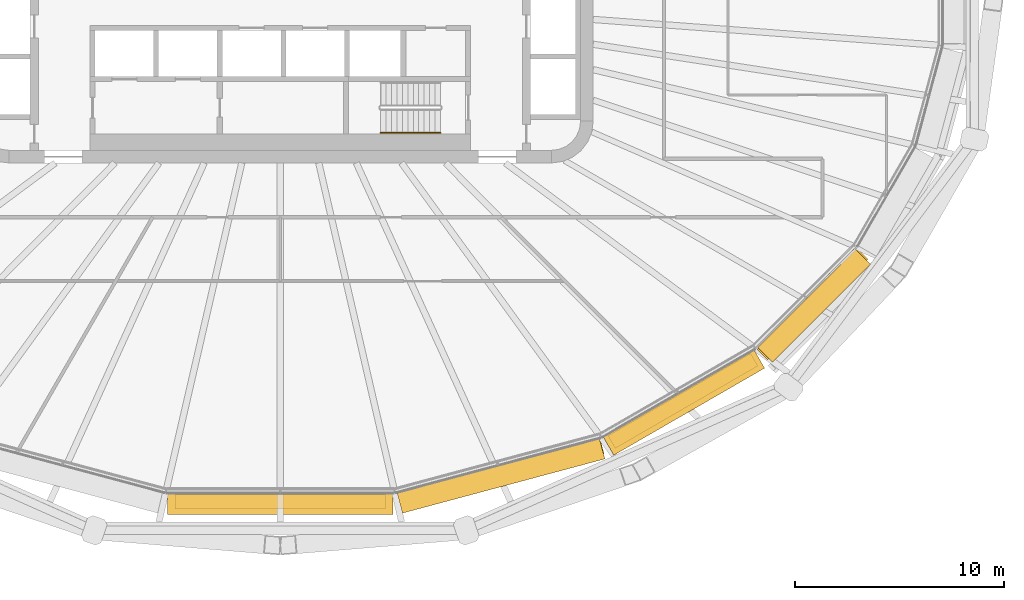
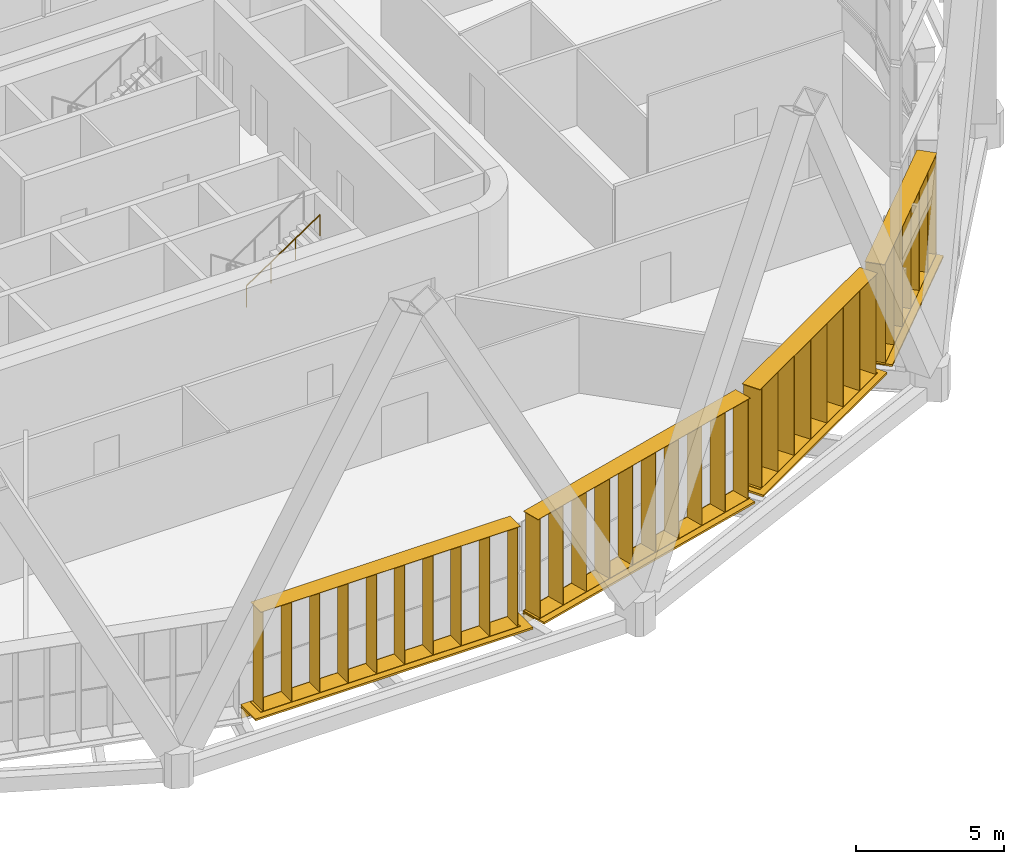
# One storey, part 23 of 26: 8 shading devices, 1 railing.
"""IFC4 building model written with IfcOpenShell, lengths in metres."""

from ifc_helpers import new_model, si_unit, direction, frame, origin, origin_2d, place, context, subcontext, project, spatial, rectangle, circle, extrude, material, type_object, element, save


model = new_model("IFC4")

# Units and contexts
model_context = context("Model", 3, precision=1e-05, world=origin(), true_north=direction((0.0, 1.0)))
body_context = subcontext(model_context, "Body", "Model", "MODEL_VIEW")
ifc_project = project(units=[si_unit("LENGTHUNIT", "METRE"), si_unit("AREAUNIT", "SQUARE_METRE"), si_unit("VOLUMEUNIT", "CUBIC_METRE"), si_unit("PLANEANGLEUNIT", "RADIAN"), si_unit("MASSUNIT", "GRAM", prefix="KILO")], contexts=[model_context])

# Site, building, storey
site_placement = place(None, origin())
site = spatial("IfcSite", under=ifc_project, at=site_placement, CompositionType="ELEMENT")
building_placement = place(site_placement, origin())
building = spatial("IfcBuilding", under=site, at=building_placement, Name="Sahrelin Media Tower", CompositionType="ELEMENT")
storey_placement = place(building_placement, frame((0.0, 0.0, 131.39990234375)))
storey = spatial("IfcBuildingStorey", under=building, at=storey_placement, Name="L26", CompositionType="ELEMENT", Elevation=131.39990234375)

# Shading devices
ifc_material_1 = material(Name="Champagne anodised aluminium 6063-T6", Category="aluminium")
shading_device_type_1 = type_object("IfcShadingDeviceType", Name="Fin cassette", PredefinedType="USERDEFINED", material=ifc_material_1)
placement_1 = place(storey_placement, frame((0.0, -23.826904296875, 0.0), z_axis=(0.0, 0.0, 1.0), x_axis=(-1.0, 0.0, 0.0)))
element("IfcShadingDevice", 1, at=placement_1, inside=storey, type_object=shading_device_type_1, Name="L26:FIN:L26-18", ObjectType="FIN", PredefinedType="USERDEFINED", context=body_context, shape_type="SweptSolid", body=[
    extrude(rectangle(XDim=10.10009765625, YDim=0.699951171875, at=origin_2d()), frame((0.0, 0.419921875, 0.0)), (0.0, 0.0, 1.0), 0.02001953125),
    extrude(rectangle(XDim=10.10009765625, YDim=0.699951171875, at=origin_2d()), frame((0.0, 0.419921875, 4.10009765625)), (0.0, 0.0, 1.0), 0.02001953125),
    extrude(rectangle(XDim=0.02001953125, YDim=0.699951171875, at=origin_2d()), frame((-4.949951171875, 0.419921875, 0.010009765625), z_axis=(0.0, 0.0, 1.0), x_axis=(1.0, 0.0, 0.0)), (0.0, 0.0, 1.0), 4.10009765625),
    extrude(rectangle(XDim=0.02001953125, YDim=0.699951171875, at=origin_2d()), frame((-3.85009765625, 0.419921875, 0.010009765625), z_axis=(0.0, 0.0, 1.0), x_axis=(1.0, 0.0, 0.0)), (0.0, 0.0, 1.0), 4.10009765625),
    extrude(rectangle(XDim=0.02001953125, YDim=0.699951171875, at=origin_2d()), frame((-2.75, 0.419921875, 0.010009765625), z_axis=(0.0, 0.0, 1.0), x_axis=(1.0, 0.0, 0.0)), (0.0, 0.0, 1.0), 4.10009765625),
    extrude(rectangle(XDim=0.02001953125, YDim=0.699951171875, at=origin_2d()), frame((-1.64990234375, 0.419921875, 0.010009765625), z_axis=(0.0, 0.0, 1.0), x_axis=(1.0, 0.0, 0.0)), (0.0, 0.0, 1.0), 4.10009765625),
    extrude(rectangle(XDim=0.02001953125, YDim=0.699951171875, at=origin_2d()), frame((-0.550048828125, 0.419921875, 0.010009765625), z_axis=(0.0, 0.0, 1.0), x_axis=(1.0, 0.0, 0.0)), (0.0, 0.0, 1.0), 4.10009765625),
    extrude(rectangle(XDim=0.02001953125, YDim=0.699951171875, at=origin_2d()), frame((0.550048828125, 0.419921875, 0.010009765625), z_axis=(0.0, 0.0, 1.0), x_axis=(1.0, 0.0, 0.0)), (0.0, 0.0, 1.0), 4.10009765625),
    extrude(rectangle(XDim=0.02001953125, YDim=0.699951171875, at=origin_2d()), frame((1.64990234375, 0.419921875, 0.010009765625), z_axis=(0.0, 0.0, 1.0), x_axis=(1.0, 0.0, 0.0)), (0.0, 0.0, 1.0), 4.10009765625),
    extrude(rectangle(XDim=0.02001953125, YDim=0.699951171875, at=origin_2d()), frame((2.75, 0.419921875, 0.010009765625), z_axis=(0.0, 0.0, 1.0), x_axis=(1.0, 0.0, 0.0)), (0.0, 0.0, 1.0), 4.10009765625),
    extrude(rectangle(XDim=0.02001953125, YDim=0.699951171875, at=origin_2d()), frame((3.85009765625, 0.419921875, 0.010009765625), z_axis=(0.0, 0.0, 1.0), x_axis=(1.0, 0.0, 0.0)), (0.0, 0.0, 1.0), 4.10009765625),
    extrude(rectangle(XDim=0.02001953125, YDim=0.699951171875, at=origin_2d()), frame((4.949951171875, 0.419921875, 0.010009765625), z_axis=(0.0, 0.0, 1.0), x_axis=(1.0, 0.0, 0.0)), (0.0, 0.0, 1.0), 4.10009765625),
])
placement_2 = place(storey_placement, frame((10.4443359375, -22.501708984375, 0.0), z_axis=(0.0, 0.0, 1.0), x_axis=(-0.965928857556, -0.258807731996, 0.0)))
element("IfcShadingDevice", 2, at=placement_2, inside=storey, type_object=shading_device_type_1, Name="L26:FIN:L26-19", ObjectType="FIN", PredefinedType="USERDEFINED", context=body_context, shape_type="SweptSolid", body=[
    extrude(rectangle(XDim=10.10009765625, YDim=0.699951171875, at=origin_2d()), frame((0.0, 0.419921875, 0.0)), (0.0, 0.0, 1.0), 0.02001953125),
    extrude(rectangle(XDim=10.10009765625, YDim=0.699951171875, at=origin_2d()), frame((0.0, 0.419921875, 4.10009765625)), (0.0, 0.0, 1.0), 0.02001953125),
    extrude(rectangle(XDim=0.02001953125, YDim=0.699951171875, at=origin_2d()), frame((-4.949951171875, 0.419921875, 0.010009765625), z_axis=(0.0, 0.0, 1.0), x_axis=(1.0, 0.0, 0.0)), (0.0, 0.0, 1.0), 4.10009765625),
    extrude(rectangle(XDim=0.02001953125, YDim=0.699951171875, at=origin_2d()), frame((-3.85009765625, 0.419921875, 0.010009765625), z_axis=(0.0, 0.0, 1.0), x_axis=(1.0, 0.0, 0.0)), (0.0, 0.0, 1.0), 4.10009765625),
    extrude(rectangle(XDim=0.02001953125, YDim=0.699951171875, at=origin_2d()), frame((-2.75, 0.419921875, 0.010009765625), z_axis=(0.0, 0.0, 1.0), x_axis=(1.0, 0.0, 0.0)), (0.0, 0.0, 1.0), 4.10009765625),
    extrude(rectangle(XDim=0.02001953125, YDim=0.699951171875, at=origin_2d()), frame((-1.64990234375, 0.419921875, 0.010009765625), z_axis=(0.0, 0.0, 1.0), x_axis=(1.0, 0.0, 0.0)), (0.0, 0.0, 1.0), 4.10009765625),
    extrude(rectangle(XDim=0.02001953125, YDim=0.699951171875, at=origin_2d()), frame((-0.550048828125, 0.419921875, 0.010009765625), z_axis=(0.0, 0.0, 1.0), x_axis=(1.0, 0.0, 0.0)), (0.0, 0.0, 1.0), 4.10009765625),
    extrude(rectangle(XDim=0.02001953125, YDim=0.699951171875, at=origin_2d()), frame((0.550048828125, 0.419921875, 0.010009765625), z_axis=(0.0, 0.0, 1.0), x_axis=(1.0, 0.0, 0.0)), (0.0, 0.0, 1.0), 4.10009765625),
    extrude(rectangle(XDim=0.02001953125, YDim=0.699951171875, at=origin_2d()), frame((1.64990234375, 0.419921875, 0.010009765625), z_axis=(0.0, 0.0, 1.0), x_axis=(1.0, 0.0, 0.0)), (0.0, 0.0, 1.0), 4.10009765625),
    extrude(rectangle(XDim=0.02001953125, YDim=0.699951171875, at=origin_2d()), frame((2.75, 0.419921875, 0.010009765625), z_axis=(0.0, 0.0, 1.0), x_axis=(1.0, 0.0, 0.0)), (0.0, 0.0, 1.0), 4.10009765625),
    extrude(rectangle(XDim=0.02001953125, YDim=0.699951171875, at=origin_2d()), frame((3.85009765625, 0.419921875, 0.010009765625), z_axis=(0.0, 0.0, 1.0), x_axis=(1.0, 0.0, 0.0)), (0.0, 0.0, 1.0), 4.10009765625),
    extrude(rectangle(XDim=0.02001953125, YDim=0.699951171875, at=origin_2d()), frame((4.949951171875, 0.419921875, 0.010009765625), z_axis=(0.0, 0.0, 1.0), x_axis=(1.0, 0.0, 0.0)), (0.0, 0.0, 1.0), 4.10009765625),
])
placement_3 = place(storey_placement, frame((19.092041015625, -19.039306640625, 0.0), z_axis=(0.0, 0.0, 1.0), x_axis=(-0.866019052629, -0.500011000363, 0.0)))
element("IfcShadingDevice", 3, at=placement_3, inside=storey, type_object=shading_device_type_1, Name="L26:FIN:L26-20", ObjectType="FIN", PredefinedType="USERDEFINED", context=body_context, shape_type="SweptSolid", body=[
    extrude(rectangle(XDim=7.89990234375, YDim=0.699951171875, at=origin_2d()), frame((0.0, 0.419921875, 0.0)), (0.0, 0.0, 1.0), 0.02001953125),
    extrude(rectangle(XDim=7.89990234375, YDim=0.699951171875, at=origin_2d()), frame((0.0, 0.419921875, 4.10009765625)), (0.0, 0.0, 1.0), 0.02001953125),
    extrude(rectangle(XDim=0.02001953125, YDim=0.699951171875, at=origin_2d()), frame((-3.85009765625, 0.419921875, 0.010009765625), z_axis=(0.0, 0.0, 1.0), x_axis=(1.0, 0.0, 0.0)), (0.0, 0.0, 1.0), 4.10009765625),
    extrude(rectangle(XDim=0.02001953125, YDim=0.699951171875, at=origin_2d()), frame((-2.75, 0.419921875, 0.010009765625), z_axis=(0.0, 0.0, 1.0), x_axis=(1.0, 0.0, 0.0)), (0.0, 0.0, 1.0), 4.10009765625),
    extrude(rectangle(XDim=0.02001953125, YDim=0.699951171875, at=origin_2d()), frame((-1.64990234375, 0.419921875, 0.010009765625), z_axis=(0.0, 0.0, 1.0), x_axis=(1.0, 0.0, 0.0)), (0.0, 0.0, 1.0), 4.10009765625),
    extrude(rectangle(XDim=0.02001953125, YDim=0.699951171875, at=origin_2d()), frame((-0.550048828125, 0.419921875, 0.010009765625), z_axis=(0.0, 0.0, 1.0), x_axis=(1.0, 0.0, 0.0)), (0.0, 0.0, 1.0), 4.10009765625),
    extrude(rectangle(XDim=0.02001953125, YDim=0.699951171875, at=origin_2d()), frame((0.550048828125, 0.419921875, 0.010009765625), z_axis=(0.0, 0.0, 1.0), x_axis=(1.0, 0.0, 0.0)), (0.0, 0.0, 1.0), 4.10009765625),
    extrude(rectangle(XDim=0.02001953125, YDim=0.699951171875, at=origin_2d()), frame((1.64990234375, 0.419921875, 0.010009765625), z_axis=(0.0, 0.0, 1.0), x_axis=(1.0, 0.0, 0.0)), (0.0, 0.0, 1.0), 4.10009765625),
    extrude(rectangle(XDim=0.02001953125, YDim=0.699951171875, at=origin_2d()), frame((2.75, 0.419921875, 0.010009765625), z_axis=(0.0, 0.0, 1.0), x_axis=(1.0, 0.0, 0.0)), (0.0, 0.0, 1.0), 4.10009765625),
    extrude(rectangle(XDim=0.02001953125, YDim=0.699951171875, at=origin_2d()), frame((3.85009765625, 0.419921875, 0.010009765625), z_axis=(0.0, 0.0, 1.0), x_axis=(1.0, 0.0, 0.0)), (0.0, 0.0, 1.0), 4.10009765625),
])
placement_4 = place(storey_placement, frame((25.218017578125, -14.477783203125, 0.0), z_axis=(0.0, 0.0, 1.0), x_axis=(-0.707106781187, -0.707106781187, 0.0)))
element("IfcShadingDevice", 4, at=placement_4, inside=storey, type_object=shading_device_type_1, Name="L26:FIN:L26-21", ObjectType="FIN", PredefinedType="USERDEFINED", context=body_context, shape_type="SweptSolid", body=[
    extrude(rectangle(XDim=6.800048828125, YDim=0.699951171875, at=origin_2d()), frame((0.0, 0.419921875, 0.0)), (0.0, 0.0, 1.0), 0.02001953125),
    extrude(rectangle(XDim=6.800048828125, YDim=0.699951171875, at=origin_2d()), frame((0.0, 0.419921875, 4.10009765625)), (0.0, 0.0, 1.0), 0.02001953125),
    extrude(rectangle(XDim=0.02001953125, YDim=0.699951171875, at=origin_2d()), frame((-3.300048828125, 0.419921875, 0.010009765625), z_axis=(0.0, 0.0, 1.0), x_axis=(1.0, 0.0, 0.0)), (0.0, 0.0, 1.0), 4.10009765625),
    extrude(rectangle(XDim=0.02001953125, YDim=0.699951171875, at=origin_2d()), frame((-2.199951171875, 0.419921875, 0.010009765625), z_axis=(0.0, 0.0, 1.0), x_axis=(1.0, 0.0, 0.0)), (0.0, 0.0, 1.0), 4.10009765625),
    extrude(rectangle(XDim=0.02001953125, YDim=0.699951171875, at=origin_2d()), frame((-1.10009765625, 0.419921875, 0.010009765625), z_axis=(0.0, 0.0, 1.0), x_axis=(1.0, 0.0, 0.0)), (0.0, 0.0, 1.0), 4.10009765625),
    extrude(rectangle(XDim=0.02001953125, YDim=0.699951171875, at=origin_2d()), frame((0.0, 0.419921875, 0.010009765625), z_axis=(0.0, 0.0, 1.0), x_axis=(1.0, 0.0, 0.0)), (0.0, 0.0, 1.0), 4.10009765625),
    extrude(rectangle(XDim=0.02001953125, YDim=0.699951171875, at=origin_2d()), frame((1.10009765625, 0.419921875, 0.010009765625), z_axis=(0.0, 0.0, 1.0), x_axis=(1.0, 0.0, 0.0)), (0.0, 0.0, 1.0), 4.10009765625),
    extrude(rectangle(XDim=0.02001953125, YDim=0.699951171875, at=origin_2d()), frame((2.199951171875, 0.419921875, 0.010009765625), z_axis=(0.0, 0.0, 1.0), x_axis=(1.0, 0.0, 0.0)), (0.0, 0.0, 1.0), 4.10009765625),
    extrude(rectangle(XDim=0.02001953125, YDim=0.699951171875, at=origin_2d()), frame((3.300048828125, 0.419921875, 0.010009765625), z_axis=(0.0, 0.0, 1.0), x_axis=(1.0, 0.0, 0.0)), (0.0, 0.0, 1.0), 4.10009765625),
])

# Railing
ifc_material_2 = material(Name="Steel S355", Category="steel")
railing_type = type_object("IfcRailingType", Name="Stair handrail 900", PredefinedType="HANDRAIL", material=ifc_material_2)
railing_placement = place(storey_placement, frame((4.81494140625, -6.550048828125, 2.275146484375)))
element("IfcRailing", 5, at=railing_placement, inside=storey, type_object=railing_type, Name="L26 ST2 stair handrail 2", PredefinedType="HANDRAIL", context=body_context, shape_type="SweptSolid", body=[
    extrude(circle(Radius=0.02392578125, at=origin_2d()), frame((0.0, 0.0, 0.8759765625), z_axis=(0.829590901723, 0.0, 0.558371682465), x_axis=(0.0, 1.0, 0.0)), (0.0, 0.0, 1.0), 3.447509765625),
    extrude(circle(Radius=0.02099609375, at=origin_2d()), origin(), (0.0, 0.0, 1.0), 0.851806640625),
    extrude(circle(Radius=0.02099609375, at=origin_2d()), frame((0.953369140625, 0.0, 0.6416015625)), (0.0, 0.0, 1.0), 0.851806640625),
    extrude(circle(Radius=0.02099609375, at=origin_2d()), frame((1.90673828125, 0.0, 1.283447265625)), (0.0, 0.0, 1.0), 0.851806640625),
    extrude(circle(Radius=0.02099609375, at=origin_2d()), frame((2.860107421875, 0.0, 1.925048828125)), (0.0, 0.0, 1.0), 0.851806640625),
])

# Shading devices
shading_device_type_2 = type_object("IfcShadingDeviceType", Name="Sunshade band", PredefinedType="USERDEFINED", material=ifc_material_1)
element("IfcShadingDevice", 6, at=placement_1, inside=storey, type_object=shading_device_type_2, Name="L26:SUN:L26-18", ObjectType="SUNSHADE", PredefinedType="USERDEFINED", context=body_context, shape_type="SweptSolid", body=[
    extrude(rectangle(XDim=10.7958984375, YDim=0.050048828125, at=origin_2d()), frame((0.0, 0.044921875, -0.55126953125)), (0.0, 0.0, 1.0), 0.471435546875),
    extrude(rectangle(XDim=10.7958984375, YDim=1.0, at=origin_2d()), frame((0.0, 0.52001953125, -0.080078125)), (0.0, 0.0, 1.0), 0.080078125),
    extrude(rectangle(XDim=0.10009765625, YDim=0.074951171875, at=origin_2d()), frame((-5.2978515625, -0.017578125, -0.47021484375)), (0.0, 0.0, 1.0), 0.300048828125),
    extrude(rectangle(XDim=0.10009765625, YDim=0.074951171875, at=origin_2d()), frame((-3.531982421875, -0.017578125, -0.47021484375)), (0.0, 0.0, 1.0), 0.300048828125),
    extrude(rectangle(XDim=0.10009765625, YDim=0.074951171875, at=origin_2d()), frame((-1.76611328125, -0.017578125, -0.47021484375)), (0.0, 0.0, 1.0), 0.300048828125),
    extrude(rectangle(XDim=0.10009765625, YDim=0.074951171875, at=origin_2d()), frame((0.0, -0.017578125, -0.47021484375)), (0.0, 0.0, 1.0), 0.300048828125),
    extrude(rectangle(XDim=0.10009765625, YDim=0.074951171875, at=origin_2d()), frame((1.76611328125, -0.017578125, -0.47021484375)), (0.0, 0.0, 1.0), 0.300048828125),
    extrude(rectangle(XDim=0.10009765625, YDim=0.074951171875, at=origin_2d()), frame((3.531982421875, -0.017578125, -0.47021484375)), (0.0, 0.0, 1.0), 0.300048828125),
    extrude(rectangle(XDim=0.10009765625, YDim=0.074951171875, at=origin_2d()), frame((5.2978515625, -0.017578125, -0.47021484375)), (0.0, 0.0, 1.0), 0.300048828125),
])
element("IfcShadingDevice", 7, at=placement_2, inside=storey, type_object=shading_device_type_2, Name="L26:SUN:L26-19", ObjectType="SUNSHADE", PredefinedType="USERDEFINED", context=body_context, shape_type="SweptSolid", body=[
    extrude(rectangle(XDim=10.0419921875, YDim=0.050048828125, at=origin_2d()), frame((0.0, 0.044921875, -0.55126953125)), (0.0, 0.0, 1.0), 0.471435546875),
    extrude(rectangle(XDim=10.0419921875, YDim=1.0, at=origin_2d()), frame((0.0, 0.52001953125, -0.080078125)), (0.0, 0.0, 1.0), 0.080078125),
    extrude(rectangle(XDim=0.10009765625, YDim=0.074951171875, at=origin_2d()), frame((-4.9208984375, -0.017578125, -0.47021484375)), (0.0, 0.0, 1.0), 0.300048828125),
    extrude(rectangle(XDim=0.10009765625, YDim=0.074951171875, at=origin_2d()), frame((-3.28076171875, -0.017578125, -0.47021484375)), (0.0, 0.0, 1.0), 0.300048828125),
    extrude(rectangle(XDim=0.10009765625, YDim=0.074951171875, at=origin_2d()), frame((-1.640380859375, -0.017578125, -0.47021484375)), (0.0, 0.0, 1.0), 0.300048828125),
    extrude(rectangle(XDim=0.10009765625, YDim=0.074951171875, at=origin_2d()), frame((0.0, -0.017578125, -0.47021484375)), (0.0, 0.0, 1.0), 0.300048828125),
    extrude(rectangle(XDim=0.10009765625, YDim=0.074951171875, at=origin_2d()), frame((1.640380859375, -0.017578125, -0.47021484375)), (0.0, 0.0, 1.0), 0.300048828125),
    extrude(rectangle(XDim=0.10009765625, YDim=0.074951171875, at=origin_2d()), frame((3.28076171875, -0.017578125, -0.47021484375)), (0.0, 0.0, 1.0), 0.300048828125),
    extrude(rectangle(XDim=0.10009765625, YDim=0.074951171875, at=origin_2d()), frame((4.9208984375, -0.017578125, -0.47021484375)), (0.0, 0.0, 1.0), 0.300048828125),
])
element("IfcShadingDevice", 8, at=placement_3, inside=storey, type_object=shading_device_type_2, Name="L26:SUN:L26-20", ObjectType="SUNSHADE", PredefinedType="USERDEFINED", context=body_context, shape_type="SweptSolid", body=[
    extrude(rectangle(XDim=8.347412109375, YDim=0.050048828125, at=origin_2d()), frame((0.0, 0.044921875, -0.55126953125)), (0.0, 0.0, 1.0), 0.471435546875),
    extrude(rectangle(XDim=8.347412109375, YDim=1.0, at=origin_2d()), frame((0.0, 0.52001953125, -0.080078125)), (0.0, 0.0, 1.0), 0.080078125),
    extrude(rectangle(XDim=0.10009765625, YDim=0.074951171875, at=origin_2d()), frame((-4.073486328125, -0.017578125, -0.47021484375)), (0.0, 0.0, 1.0), 0.300048828125),
    extrude(rectangle(XDim=0.10009765625, YDim=0.074951171875, at=origin_2d()), frame((-2.444091796875, -0.017578125, -0.47021484375)), (0.0, 0.0, 1.0), 0.300048828125),
    extrude(rectangle(XDim=0.10009765625, YDim=0.074951171875, at=origin_2d()), frame((-0.814697265625, -0.017578125, -0.47021484375)), (0.0, 0.0, 1.0), 0.300048828125),
    extrude(rectangle(XDim=0.10009765625, YDim=0.074951171875, at=origin_2d()), frame((0.814697265625, -0.017578125, -0.47021484375)), (0.0, 0.0, 1.0), 0.300048828125),
    extrude(rectangle(XDim=0.10009765625, YDim=0.074951171875, at=origin_2d()), frame((2.444091796875, -0.017578125, -0.47021484375)), (0.0, 0.0, 1.0), 0.300048828125),
    extrude(rectangle(XDim=0.10009765625, YDim=0.074951171875, at=origin_2d()), frame((4.073486328125, -0.017578125, -0.47021484375)), (0.0, 0.0, 1.0), 0.300048828125),
])
element("IfcShadingDevice", 9, at=placement_4, inside=storey, type_object=shading_device_type_2, Name="L26:SUN:L26-21", ObjectType="SUNSHADE", PredefinedType="USERDEFINED", context=body_context, shape_type="SweptSolid", body=[
    extrude(rectangle(XDim=6.658203125, YDim=0.050048828125, at=origin_2d()), frame((0.0, 0.044921875, -0.55126953125)), (0.0, 0.0, 1.0), 0.471435546875),
    extrude(rectangle(XDim=6.658203125, YDim=1.0, at=origin_2d()), frame((0.0, 0.52001953125, -0.080078125)), (0.0, 0.0, 1.0), 0.080078125),
    extrude(rectangle(XDim=0.10009765625, YDim=0.074951171875, at=origin_2d()), frame((-3.22900390625, -0.017578125, -0.47021484375)), (0.0, 0.0, 1.0), 0.300048828125),
    extrude(rectangle(XDim=0.10009765625, YDim=0.074951171875, at=origin_2d()), frame((-1.614501953125, -0.017578125, -0.47021484375)), (0.0, 0.0, 1.0), 0.300048828125),
    extrude(rectangle(XDim=0.10009765625, YDim=0.074951171875, at=origin_2d()), frame((0.0, -0.017578125, -0.47021484375)), (0.0, 0.0, 1.0), 0.300048828125),
    extrude(rectangle(XDim=0.10009765625, YDim=0.074951171875, at=origin_2d()), frame((1.614501953125, -0.017578125, -0.47021484375)), (0.0, 0.0, 1.0), 0.300048828125),
    extrude(rectangle(XDim=0.10009765625, YDim=0.074951171875, at=origin_2d()), frame((3.22900390625, -0.017578125, -0.47021484375)), (0.0, 0.0, 1.0), 0.300048828125),
])

save(model, "model.ifc")
